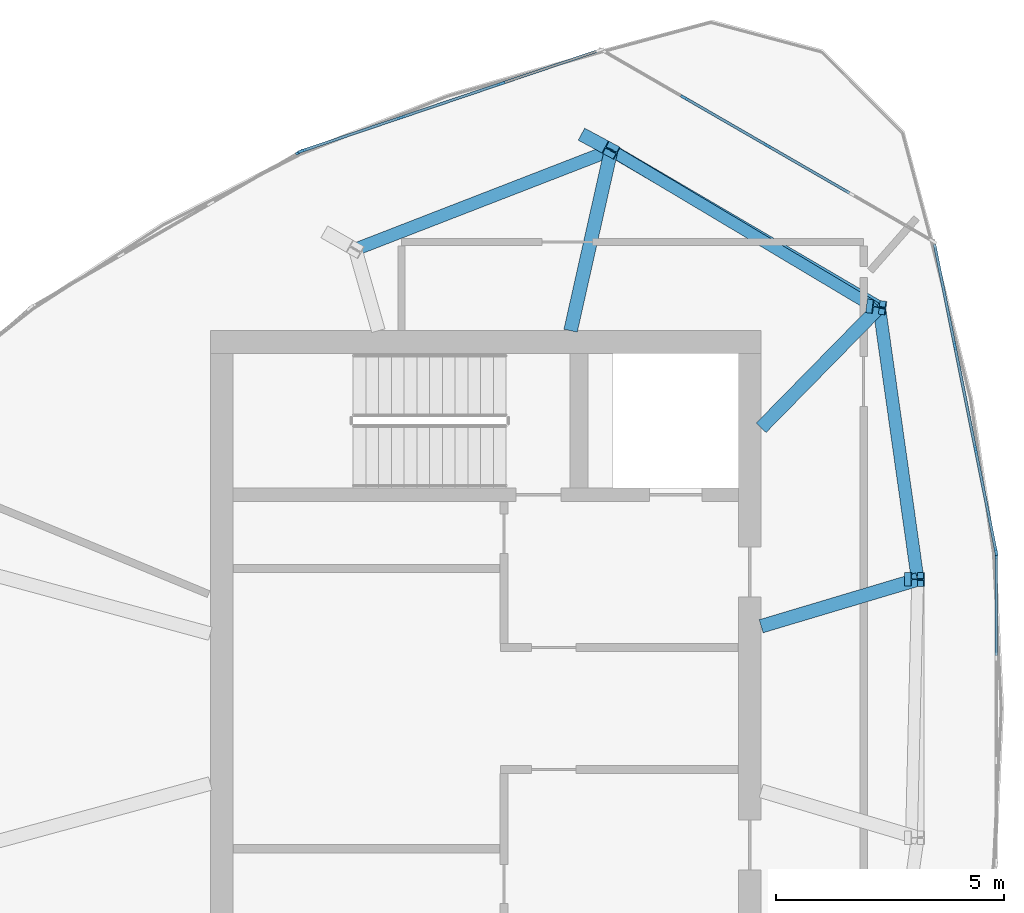
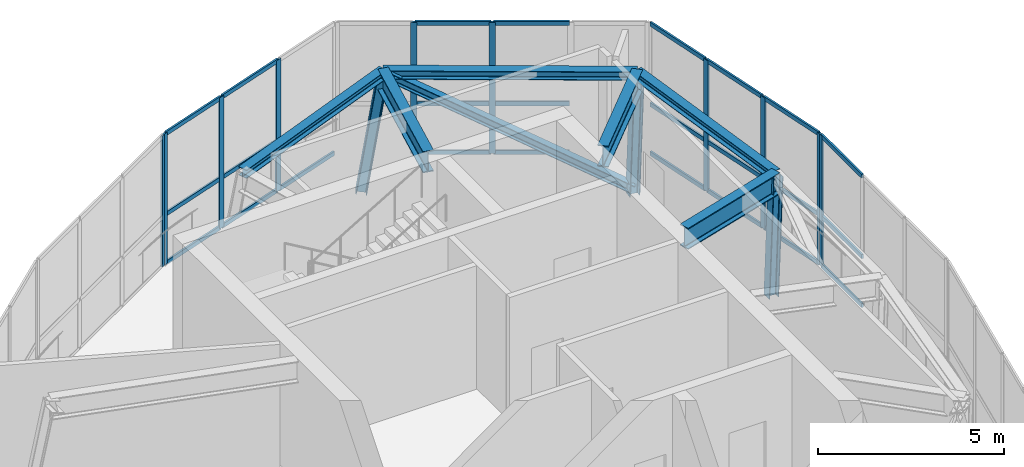
# One storey, part 4 of 10: 42 members, 3 beams, 5 elements without a shape of their own.
"""IFC4 building model written with IfcOpenShell, lengths in metres."""

from ifc_helpers import new_model, si_unit, direction, frame, origin, origin_2d, place, context, subcontext, project, spatial, rectangle, i_section, extrude, source, transform, mapped, material, layer, layer_set, material_profile, profile_set, type_object, element, aggregate, save


model = new_model("IFC4")

# Units and contexts
model_context = context("Model", 3, precision=1e-05, world=origin(), true_north=direction((0.0, 1.0)))
body_context = subcontext(model_context, "Body", "Model", "MODEL_VIEW")
ifc_project = project(units=[si_unit("LENGTHUNIT", "METRE"), si_unit("AREAUNIT", "SQUARE_METRE"), si_unit("VOLUMEUNIT", "CUBIC_METRE"), si_unit("PLANEANGLEUNIT", "RADIAN"), si_unit("MASSUNIT", "GRAM", prefix="KILO")], contexts=[model_context])

# Site, building, storey
site_placement = place(None, origin())
site = spatial("IfcSite", under=ifc_project, at=site_placement, CompositionType="ELEMENT")
building_placement = place(site_placement, origin())
building = spatial("IfcBuilding", under=site, at=building_placement, Name="Qafzar Sky-Pleat Residences", CompositionType="ELEMENT")
storey_placement = place(building_placement, frame((0.0, 0.0, 261.800048828125)))
storey = spatial("IfcBuildingStorey", under=building, at=storey_placement, Name="L78 Crown", CompositionType="ELEMENT", Elevation=261.800048828125)

# Members
ifc_material_1 = material(Name="Steel S460", Category="steel")
ifc_material_profile_1 = material_profile(ifc_material_1, i_section(OverallWidth=0.300048828125, OverallDepth=0.300048828125, WebThickness=0.010986328125, FlangeThickness=0.01904296875, FilletRadius=0.027099609375, at=origin_2d()), Name="HEB 300")
ifc_profile_set_1 = profile_set([ifc_material_profile_1], Name="Steel S460")
member_type_1 = type_object("IfcMemberType", Name="MEM-CROWN-RIB", PredefinedType="CHORD", material=ifc_profile_set_1)
shared_shape_1 = source(origin(), body_context, "Body", "SweptSolid", [
    extrude(i_section(OverallWidth=0.300048828125, OverallDepth=0.300048828125, WebThickness=0.010986328125, FlangeThickness=0.01904296875, FilletRadius=0.027099609375, at=origin_2d()), origin(), (0.0, 0.0, 1.0), 3.898193359375),
])
member_1_placement = place(storey_placement, frame((38.86279296875, 34.828857421875, 0.0), z_axis=(0.033443834759, -0.004133507667, 0.999432050732), x_axis=(0.122662172065, 0.992448483068, 0.0)))
element("IfcMember", 1, at=member_1_placement, inside=storey, type_object=member_type_1, Name="L78 Crown CROWN FRAME Inclined Rib 9", PredefinedType="CHORD", context=body_context, shape_type="MappedRepresentation", body=[
    mapped(shared_shape_1, transform((0.0, 0.0, 0.0), x_axis=(1.0, 0.0, 0.0), y_axis=(0.0, 1.0, 0.0), z_axis=(0.0, 0.0, 1.0), scale=1.0)),
])
shared_shape_2 = source(origin(), body_context, "Body", "SweptSolid", [
    extrude(i_section(OverallWidth=0.300048828125, OverallDepth=0.300048828125, WebThickness=0.010986328125, FlangeThickness=0.01904296875, FilletRadius=0.027099609375, at=origin_2d()), origin(), (0.0, 0.0, 1.0), 3.8984375),
])
member_2_placement = place(storey_placement, frame((39.70068359375, 28.837158203125, 0.0), z_axis=(0.03500797869, -0.0003131304, 0.999386983794), x_axis=(0.008944186046, 0.999959999968, 0.0)))
element("IfcMember", 2, at=member_2_placement, inside=storey, type_object=member_type_1, Name="L78 Crown CROWN FRAME Inclined Rib 8", PredefinedType="CHORD", context=body_context, shape_type="MappedRepresentation", body=[
    mapped(shared_shape_2, transform((0.0, 0.0, 0.0), x_axis=(1.0, 0.0, 0.0), y_axis=(0.0, 1.0, 0.0), z_axis=(0.0, 0.0, 1.0), scale=1.0)),
])
shared_shape_3 = source(origin(), body_context, "Body", "SweptSolid", [
    extrude(i_section(OverallWidth=0.300048828125, OverallDepth=0.300048828125, WebThickness=0.010986328125, FlangeThickness=0.01904296875, FilletRadius=0.027099609375, at=origin_2d()), origin(), (0.0, 0.0, 1.0), 3.940673828125),
])
member_3_placement = place(storey_placement, frame((32.5830078125, 38.5458984375, 0.0), z_axis=(0.132210472928, -0.07112353464, 0.988666694932), x_axis=(0.473755256735, 0.88065654867, 0.0)))
element("IfcMember", 3, at=member_3_placement, inside=storey, type_object=member_type_1, Name="L78 Crown CROWN FRAME Inclined Rib 10", PredefinedType="CHORD", context=body_context, shape_type="MappedRepresentation", body=[
    mapped(shared_shape_3, transform((0.0, 0.0, 0.0), x_axis=(1.0, 0.0, 0.0), y_axis=(0.0, 1.0, 0.0), z_axis=(0.0, 0.0, 1.0), scale=1.0)),
])
ifc_material_2 = material(Name="Steel S355", Category="steel")
ifc_material_profile_2 = material_profile(ifc_material_2, i_section(OverallWidth=0.280029296875, OverallDepth=0.280029296875, WebThickness=0.010498046875, FlangeThickness=0.01806640625, FilletRadius=0.02392578125, at=origin_2d()), Name="HEB 280")
ifc_profile_set_2 = profile_set([ifc_material_profile_2], Name="Steel S355")
member_type_2 = type_object("IfcMemberType", Name="MEM-CROWN-RING", PredefinedType="PURLIN", material=ifc_profile_set_2)
shared_shape_4 = source(origin(), body_context, "Body", "SweptSolid", [
    extrude(i_section(OverallWidth=0.280029296875, OverallDepth=0.280029296875, WebThickness=0.010498046875, FlangeThickness=0.01806640625, FilletRadius=0.02392578125, at=origin_2d()), origin(), (0.0, 0.0, 1.0), 6.027587890625),
])
member_4_placement = place(storey_placement, frame((33.10400390625, 38.265625, 3.906005859375), z_axis=(-0.932292469573, -0.361705337502, 0.0), x_axis=(0.361705337502, -0.932292469573, 0.0)))
element("IfcMember", 4, at=member_4_placement, inside=storey, type_object=member_type_2, Name="L78 Crown CROWN FRAME Ring Beam 10", PredefinedType="PURLIN", context=body_context, shape_type="MappedRepresentation", body=[
    mapped(shared_shape_4, transform((0.0, 0.0, 0.0), x_axis=(1.0, 0.0, 0.0), y_axis=(0.0, 1.0, 0.0), z_axis=(0.0, 0.0, 1.0), scale=1.0)),
])
shared_shape_5 = source(origin(), body_context, "Body", "SweptSolid", [
    extrude(i_section(OverallWidth=0.280029296875, OverallDepth=0.280029296875, WebThickness=0.010498046875, FlangeThickness=0.01806640625, FilletRadius=0.02392578125, at=origin_2d()), origin(), (0.0, 0.0, 1.0), 6.82666015625),
])
member_5_placement = place(storey_placement, frame((38.9931640625, 34.812744140625, 3.906005859375), z_axis=(-0.86265869224, 0.505786497154, 0.0), x_axis=(-0.505786497154, -0.86265869224, 0.0)))
element("IfcMember", 5, at=member_5_placement, inside=storey, type_object=member_type_2, Name="L78 Crown CROWN FRAME Ring Beam 9", PredefinedType="PURLIN", context=body_context, shape_type="MappedRepresentation", body=[
    mapped(shared_shape_5, transform((0.0, 0.0, 0.0), x_axis=(1.0, 0.0, 0.0), y_axis=(0.0, 1.0, 0.0), z_axis=(0.0, 0.0, 1.0), scale=1.0)),
])
shared_shape_6 = source(origin(), body_context, "Body", "SweptSolid", [
    extrude(i_section(OverallWidth=0.280029296875, OverallDepth=0.280029296875, WebThickness=0.010498046875, FlangeThickness=0.01806640625, FilletRadius=0.02392578125, at=origin_2d()), origin(), (0.0, 0.0, 1.0), 6.0361328125),
])
member_6_placement = place(storey_placement, frame((39.837158203125, 28.8359375, 3.906005859375), z_axis=(-0.139824335469, 0.990176325313, 0.0), x_axis=(-0.990176325313, -0.139824335469, 0.0)))
element("IfcMember", 6, at=member_6_placement, inside=storey, type_object=member_type_2, Name="L78 Crown CROWN FRAME Ring Beam 8", PredefinedType="PURLIN", context=body_context, shape_type="MappedRepresentation", body=[
    mapped(shared_shape_6, transform((0.0, 0.0, 0.0), x_axis=(1.0, 0.0, 0.0), y_axis=(0.0, 1.0, 0.0), z_axis=(0.0, 0.0, 1.0), scale=1.0)),
])
ifc_material_profile_3 = material_profile(ifc_material_2, i_section(OverallWidth=0.260009765625, OverallDepth=0.260009765625, WebThickness=0.010009765625, FlangeThickness=0.017578125, FilletRadius=0.02392578125, at=origin_2d()), Name="HEB 260")
ifc_profile_set_3 = profile_set([ifc_material_profile_3], Name="Steel S355")
member_type_3 = type_object("IfcMemberType", Name="MEM-CROWN-DIAG", PredefinedType="BRACE", material=ifc_profile_set_3)
shared_shape_7 = source(origin(), body_context, "Body", "SweptSolid", [
    extrude(i_section(OverallWidth=0.260009765625, OverallDepth=0.260009765625, WebThickness=0.010009765625, FlangeThickness=0.017578125, FilletRadius=0.02392578125, at=origin_2d()), origin(), (0.0, 0.0, 1.0), 7.6669921875),
])
member_7_placement = place(storey_placement, frame((38.86279296875, 34.828857421875, 0.199951171875), z_axis=(-0.751105635795, 0.448249704727, 0.484677754894), x_axis=(-0.512465302927, -0.858707932475, 0.0)))
element("IfcMember", 7, at=member_7_placement, inside=storey, type_object=member_type_3, Name="L78 Crown CROWN FRAME Wind Brace 9", PredefinedType="BRACE", context=body_context, shape_type="MappedRepresentation", body=[
    mapped(shared_shape_7, transform((0.0, 0.0, 0.0), x_axis=(1.0, 0.0, 0.0), y_axis=(0.0, 1.0, 0.0), z_axis=(0.0, 0.0, 1.0), scale=1.0)),
])

# Beams
ifc_material_profile_4 = material_profile(ifc_material_1, i_section(OverallWidth=0.300048828125, OverallDepth=0.699951171875, WebThickness=0.01708984375, FlangeThickness=0.031982421875, FilletRadius=0.027099609375, at=origin_2d()), Name="HEB 700")
ifc_profile_set_4 = profile_set([ifc_material_profile_4], Name="Steel S460")
beam_type = type_object("IfcBeamType", Name="BM-CHORD-HEB700", PredefinedType="BEAM", material=ifc_profile_set_4)
shared_shape_8 = source(origin(), body_context, "Body", "SweptSolid", [
    extrude(i_section(OverallWidth=0.300048828125, OverallDepth=0.699951171875, WebThickness=0.01708984375, FlangeThickness=0.031982421875, FilletRadius=0.027099609375, at=origin_2d()), origin(), (0.0, 0.0, 1.0), 4.064208984375),
])
beam_1_placement = place(storey_placement, frame((33.10400390625, 38.265625, 3.697998046875), z_axis=(-0.219073354902, -0.975708391463, 0.0), x_axis=(0.975708391463, -0.219073354902, 0.0)))
element("IfcBeam", 8, at=beam_1_placement, inside=storey, type_object=beam_type, Name="L79 Crown Crown Rib Base Transfer Beam 10", PredefinedType="BEAM", context=body_context, shape_type="MappedRepresentation", body=[
    mapped(shared_shape_8, transform((0.0, 0.0, 0.0), x_axis=(1.0, 0.0, 0.0), y_axis=(0.0, 1.0, 0.0), z_axis=(0.0, 0.0, 1.0), scale=1.0)),
])
shared_shape_9 = source(origin(), body_context, "Body", "SweptSolid", [
    extrude(i_section(OverallWidth=0.300048828125, OverallDepth=0.699951171875, WebThickness=0.01708984375, FlangeThickness=0.031982421875, FilletRadius=0.027099609375, at=origin_2d()), origin(), (0.0, 0.0, 1.0), 3.70361328125),
])
beam_2_placement = place(storey_placement, frame((38.9931640625, 34.812744140625, 3.697998046875), z_axis=(-0.700217713174, -0.713929376169, 0.0), x_axis=(0.713929376169, -0.700217713174, 0.0)))
element("IfcBeam", 9, at=beam_2_placement, inside=storey, type_object=beam_type, Name="L79 Crown Crown Rib Base Transfer Beam 9", PredefinedType="BEAM", context=body_context, shape_type="MappedRepresentation", body=[
    mapped(shared_shape_9, transform((0.0, 0.0, 0.0), x_axis=(1.0, 0.0, 0.0), y_axis=(0.0, 1.0, 0.0), z_axis=(0.0, 0.0, 1.0), scale=1.0)),
])
shared_shape_10 = source(origin(), body_context, "Body", "SweptSolid", [
    extrude(i_section(OverallWidth=0.300048828125, OverallDepth=0.699951171875, WebThickness=0.01708984375, FlangeThickness=0.031982421875, FilletRadius=0.027099609375, at=origin_2d()), origin(), (0.0, 0.0, 1.0), 3.58740234375),
])
beam_3_placement = place(storey_placement, frame((39.837158203125, 28.8359375, 3.697998046875), z_axis=(-0.958119848048, -0.286367520462, 0.0), x_axis=(0.286367520462, -0.958119848048, 0.0)))
element("IfcBeam", 10, at=beam_3_placement, inside=storey, type_object=beam_type, Name="L79 Crown Crown Rib Base Transfer Beam 8", PredefinedType="BEAM", context=body_context, shape_type="MappedRepresentation", body=[
    mapped(shared_shape_10, transform((0.0, 0.0, 0.0), x_axis=(1.0, 0.0, 0.0), y_axis=(0.0, 1.0, 0.0), z_axis=(0.0, 0.0, 1.0), scale=1.0)),
])

# Curtain wall, member
ifc_material_3 = material(Name="Anodised bronze aluminium framing", Category="aluminium")
ifc_layer = layer(ifc_material_3, 0.179931640625)
ifc_layer_set = layer_set([ifc_layer], Name="Anodised bronze aluminium framing")
curtain_wall_type = type_object("IfcCurtainWallType", Name="CW-SYS-06", PredefinedType="NOTDEFINED", material=ifc_layer_set)
curtain_wall_1_placement = place(storey_placement, origin())
curtain_wall_1 = element("IfcCurtainWall", 11, at=curtain_wall_1_placement, inside=storey, type_object=curtain_wall_type, Name="L78 Crown CW-06 Curtain Wall CW-CROWN-03-07", PredefinedType="NOTDEFINED")
ifc_material_4 = material(Name="Anodised bronze aluminium", Category="aluminium")
ifc_material_profile_5 = material_profile(ifc_material_4, rectangle(XDim=0.06005859375, YDim=0.179931640625, at=origin_2d()), Name="ALU MULLION 60x180")
ifc_profile_set_5 = profile_set([ifc_material_profile_5], Name="Anodised bronze aluminium")
member_type_4 = type_object("IfcMemberType", Name="CWM-06", PredefinedType="MULLION", material=ifc_profile_set_5)
shared_shape_11 = source(origin(), body_context, "Body", "SweptSolid", [
    extrude(rectangle(XDim=0.06005859375, YDim=0.179931640625, at=origin_2d()), origin(), (0.0, 0.0, 1.0), 4.300048828125),
])
member_8_placement = place(storey_placement, frame((41.5625, 29.387451171875, 0.0), z_axis=(0.0, 0.0, 1.0), x_axis=(-1.0, 0.0, 0.0)))
member_8 = element("IfcMember", 12, at=member_8_placement, type_object=member_type_4, Name="CW-06 mullion 4", PredefinedType="MULLION", context=body_context, shape_type="MappedRepresentation", body=[
    mapped(shared_shape_11, transform((0.0, 0.0, 0.0), x_axis=(1.0, 0.0, 0.0), y_axis=(0.0, 1.0, 0.0), z_axis=(0.0, 0.0, 1.0), scale=1.0)),
])

# Curtain wall, members
curtain_wall_2_placement = place(storey_placement, origin())
curtain_wall_2 = element("IfcCurtainWall", 13, at=curtain_wall_2_placement, inside=storey, type_object=curtain_wall_type, Name="L78 Crown CW-06 Curtain Wall CW-CROWN-03-08", PredefinedType="NOTDEFINED")
member_9_placement = place(storey_placement, frame((41.556396484375, 29.447021484375, 0.0), z_axis=(0.0, 0.0, 1.0), x_axis=(-0.980581227468, -0.196113376234, 0.0)))
member_9 = element("IfcMember", 14, at=member_9_placement, type_object=member_type_4, Name="CW-06 mullion 1", PredefinedType="MULLION", context=body_context, shape_type="MappedRepresentation", body=[
    mapped(shared_shape_11, transform((0.0, 0.0, 0.0), x_axis=(1.0, 0.0, 0.0), y_axis=(0.0, 1.0, 0.0), z_axis=(0.0, 0.0, 1.0), scale=1.0)),
])
member_10_placement = place(storey_placement, frame((41.106689453125, 31.69580078125, 0.0), z_axis=(0.0, 0.0, 1.0), x_axis=(-0.980581227468, -0.196113376234, 0.0)))
member_10 = element("IfcMember", 15, at=member_10_placement, type_object=member_type_4, Name="CW-06 mullion 2", PredefinedType="MULLION", context=body_context, shape_type="MappedRepresentation", body=[
    mapped(shared_shape_11, transform((0.0, 0.0, 0.0), x_axis=(1.0, 0.0, 0.0), y_axis=(0.0, 1.0, 0.0), z_axis=(0.0, 0.0, 1.0), scale=1.0)),
])
member_11_placement = place(storey_placement, frame((40.651123046875, 33.97412109375, 0.0), z_axis=(0.0, 0.0, 1.0), x_axis=(-0.980581227468, -0.196113376234, 0.0)))
member_11 = element("IfcMember", 16, at=member_11_placement, type_object=member_type_4, Name="CW-06 mullion 3", PredefinedType="MULLION", context=body_context, shape_type="MappedRepresentation", body=[
    mapped(shared_shape_11, transform((0.0, 0.0, 0.0), x_axis=(1.0, 0.0, 0.0), y_axis=(0.0, 1.0, 0.0), z_axis=(0.0, 0.0, 1.0), scale=1.0)),
])

curtain_wall_3_placement = place(storey_placement, origin())
curtain_wall_3 = element("IfcCurtainWall", 17, at=curtain_wall_3_placement, inside=storey, type_object=curtain_wall_type, Name="L78 Crown CW-06 Curtain Wall CW-CROWN-03-09", PredefinedType="NOTDEFINED")
member_12_placement = place(storey_placement, frame((36.54150390625, 38.3623046875, 0.0), z_axis=(0.0, 0.0, 1.0), x_axis=(-0.500002153749, -0.866024160313, 0.0)))
member_12 = element("IfcMember", 18, at=member_12_placement, type_object=member_type_4, Name="CW-06 mullion 3", PredefinedType="MULLION", context=body_context, shape_type="MappedRepresentation", body=[
    mapped(shared_shape_11, transform((0.0, 0.0, 0.0), x_axis=(1.0, 0.0, 0.0), y_axis=(0.0, 1.0, 0.0), z_axis=(0.0, 0.0, 1.0), scale=1.0)),
])
member_13_placement = place(storey_placement, frame((34.71435546875, 39.4169921875, 0.0), z_axis=(0.0, 0.0, 1.0), x_axis=(-0.500002153749, -0.866024160313, 0.0)))
member_13 = element("IfcMember", 19, at=member_13_placement, type_object=member_type_4, Name="CW-06 mullion 4", PredefinedType="MULLION", context=body_context, shape_type="MappedRepresentation", body=[
    mapped(shared_shape_11, transform((0.0, 0.0, 0.0), x_axis=(1.0, 0.0, 0.0), y_axis=(0.0, 1.0, 0.0), z_axis=(0.0, 0.0, 1.0), scale=1.0)),
])

curtain_wall_4_placement = place(storey_placement, origin())
curtain_wall_4 = element("IfcCurtainWall", 20, at=curtain_wall_4_placement, inside=storey, type_object=curtain_wall_type, Name="L78 Crown CW-06 Curtain Wall CW-CROWN-03-10", PredefinedType="NOTDEFINED")
member_14_placement = place(storey_placement, frame((30.6865234375, 39.727294921875, 0.0), z_axis=(0.0, 0.0, 1.0), x_axis=(0.320451017741, -0.947265087095, 0.0)))
member_14 = element("IfcMember", 21, at=member_14_placement, type_object=member_type_4, Name="CW-06 mullion 2", PredefinedType="MULLION", context=body_context, shape_type="MappedRepresentation", body=[
    mapped(shared_shape_11, transform((0.0, 0.0, 0.0), x_axis=(1.0, 0.0, 0.0), y_axis=(0.0, 1.0, 0.0), z_axis=(0.0, 0.0, 1.0), scale=1.0)),
])
member_15_placement = place(storey_placement, frame((28.4853515625, 38.982666015625, 0.0), z_axis=(0.0, 0.0, 1.0), x_axis=(0.320451017741, -0.947265087095, 0.0)))
member_15 = element("IfcMember", 22, at=member_15_placement, type_object=member_type_4, Name="CW-06 mullion 3", PredefinedType="MULLION", context=body_context, shape_type="MappedRepresentation", body=[
    mapped(shared_shape_11, transform((0.0, 0.0, 0.0), x_axis=(1.0, 0.0, 0.0), y_axis=(0.0, 1.0, 0.0), z_axis=(0.0, 0.0, 1.0), scale=1.0)),
])
member_16_placement = place(storey_placement, frame((26.31298828125, 38.247802734375, 0.0), z_axis=(0.0, 0.0, 1.0), x_axis=(0.320451017741, -0.947265087095, 0.0)))
member_16 = element("IfcMember", 23, at=member_16_placement, type_object=member_type_4, Name="CW-06 mullion 4", PredefinedType="MULLION", context=body_context, shape_type="MappedRepresentation", body=[
    mapped(shared_shape_11, transform((0.0, 0.0, 0.0), x_axis=(1.0, 0.0, 0.0), y_axis=(0.0, 1.0, 0.0), z_axis=(0.0, 0.0, 1.0), scale=1.0)),
])

# Curtain wall, member
curtain_wall_5_placement = place(storey_placement, origin())
curtain_wall_5 = element("IfcCurtainWall", 24, at=curtain_wall_5_placement, inside=storey, type_object=curtain_wall_type, Name="L78 Crown CW-06 Curtain Wall CW-CROWN-03-11", PredefinedType="NOTDEFINED")
member_17_placement = place(storey_placement, frame((26.258544921875, 38.22314453125, 0.0), z_axis=(0.0, 0.0, 1.0), x_axis=(0.499992628097, -0.866029659913, 0.0)))
member_17 = element("IfcMember", 25, at=member_17_placement, type_object=member_type_4, Name="CW-06 mullion 1", PredefinedType="MULLION", context=body_context, shape_type="MappedRepresentation", body=[
    mapped(shared_shape_11, transform((0.0, 0.0, 0.0), x_axis=(1.0, 0.0, 0.0), y_axis=(0.0, 1.0, 0.0), z_axis=(0.0, 0.0, 1.0), scale=1.0)),
])
aggregate(curtain_wall_5, [member_17])

# Member
ifc_material_profile_6 = material_profile(ifc_material_4, rectangle(XDim=0.06005859375, YDim=0.135009765625, at=origin_2d()), Name="ALU TRANSOM 60x135")
ifc_profile_set_6 = profile_set([ifc_material_profile_6], Name="Anodised bronze aluminium")
member_type_5 = type_object("IfcMemberType", Name="CWT-06", PredefinedType="USERDEFINED", material=ifc_profile_set_6)
shared_shape_12 = source(origin(), body_context, "Body", "SweptSolid", [
    extrude(rectangle(XDim=0.06005859375, YDim=0.135009765625, at=origin_2d()), origin(), (0.0, 0.0, 1.0), 2.049560546875),
])
member_18_placement = place(storey_placement, frame((38.342529296875, 37.322509765625, 0.030029296875), z_axis=(-0.866072531883, 0.499918362854, 0.0), x_axis=(-0.499918362854, -0.866072531883, 0.0)))
member_18 = element("IfcMember", 26, at=member_18_placement, type_object=member_type_5, Name="CW-06 transom 2.1", ObjectType="TRANSOM", PredefinedType="USERDEFINED", context=body_context, shape_type="MappedRepresentation", body=[
    mapped(shared_shape_12, transform((0.0, 0.0, 0.0), x_axis=(1.0, 0.0, 0.0), y_axis=(0.0, 1.0, 0.0), z_axis=(0.0, 0.0, 1.0), scale=1.0)),
])

member_19_placement = place(storey_placement, frame((38.342529296875, 37.322509765625, 1.634033203125), z_axis=(-0.866072531883, 0.499918362854, 0.0), x_axis=(-0.499918362854, -0.866072531883, 0.0)))
member_19 = element("IfcMember", 27, at=member_19_placement, type_object=member_type_5, Name="CW-06 transom 2.2", ObjectType="TRANSOM", PredefinedType="USERDEFINED", context=body_context, shape_type="MappedRepresentation", body=[
    mapped(shared_shape_12, transform((0.0, 0.0, 0.0), x_axis=(1.0, 0.0, 0.0), y_axis=(0.0, 1.0, 0.0), z_axis=(0.0, 0.0, 1.0), scale=1.0)),
])

member_20_placement = place(storey_placement, frame((38.342529296875, 37.322509765625, 4.27001953125), z_axis=(-0.866072531883, 0.499918362854, 0.0), x_axis=(-0.499918362854, -0.866072531883, 0.0)))
member_20 = element("IfcMember", 28, at=member_20_placement, type_object=member_type_5, Name="CW-06 transom 2.3", ObjectType="TRANSOM", PredefinedType="USERDEFINED", context=body_context, shape_type="MappedRepresentation", body=[
    mapped(shared_shape_12, transform((0.0, 0.0, 0.0), x_axis=(1.0, 0.0, 0.0), y_axis=(0.0, 1.0, 0.0), z_axis=(0.0, 0.0, 1.0), scale=1.0)),
])

member_21_placement = place(storey_placement, frame((36.515380859375, 38.377197265625, 0.030029296875), z_axis=(-0.865991176338, 0.500059278991, 0.0), x_axis=(-0.500059278991, -0.865991176338, 0.0)))
member_21 = element("IfcMember", 29, at=member_21_placement, type_object=member_type_5, Name="CW-06 transom 3.1", ObjectType="TRANSOM", PredefinedType="USERDEFINED", context=body_context, shape_type="MappedRepresentation", body=[
    mapped(shared_shape_12, transform((0.0, 0.0, 0.0), x_axis=(1.0, 0.0, 0.0), y_axis=(0.0, 1.0, 0.0), z_axis=(0.0, 0.0, 1.0), scale=1.0)),
])

member_22_placement = place(storey_placement, frame((36.515380859375, 38.377197265625, 1.634033203125), z_axis=(-0.865991176338, 0.500059278991, 0.0), x_axis=(-0.500059278991, -0.865991176338, 0.0)))
member_22 = element("IfcMember", 30, at=member_22_placement, type_object=member_type_5, Name="CW-06 transom 3.2", ObjectType="TRANSOM", PredefinedType="USERDEFINED", context=body_context, shape_type="MappedRepresentation", body=[
    mapped(shared_shape_12, transform((0.0, 0.0, 0.0), x_axis=(1.0, 0.0, 0.0), y_axis=(0.0, 1.0, 0.0), z_axis=(0.0, 0.0, 1.0), scale=1.0)),
])

member_23_placement = place(storey_placement, frame((36.515380859375, 38.377197265625, 4.27001953125), z_axis=(-0.865991176338, 0.500059278991, 0.0), x_axis=(-0.500059278991, -0.865991176338, 0.0)))
member_23 = element("IfcMember", 31, at=member_23_placement, type_object=member_type_5, Name="CW-06 transom 3.3", ObjectType="TRANSOM", PredefinedType="USERDEFINED", context=body_context, shape_type="MappedRepresentation", body=[
    mapped(shared_shape_12, transform((0.0, 0.0, 0.0), x_axis=(1.0, 0.0, 0.0), y_axis=(0.0, 1.0, 0.0), z_axis=(0.0, 0.0, 1.0), scale=1.0)),
])

aggregate(curtain_wall_3, [member_12, member_13, member_18, member_19, member_20, member_21, member_22, member_23])

shared_shape_13 = source(origin(), body_context, "Body", "SweptSolid", [
    extrude(rectangle(XDim=0.06005859375, YDim=0.135009765625, at=origin_2d()), origin(), (0.0, 0.0, 1.0), 2.233642578125),
])
member_24_placement = place(storey_placement, frame((41.550537109375, 29.476318359375, 0.030029296875), z_axis=(-0.196095114692, 0.980584879546, 0.0), x_axis=(-0.980584879546, -0.196095114692, 0.0)))
member_24 = element("IfcMember", 32, at=member_24_placement, type_object=member_type_5, Name="CW-06 transom 1.1", ObjectType="TRANSOM", PredefinedType="USERDEFINED", context=body_context, shape_type="MappedRepresentation", body=[
    mapped(shared_shape_13, transform((0.0, 0.0, 0.0), x_axis=(1.0, 0.0, 0.0), y_axis=(0.0, 1.0, 0.0), z_axis=(0.0, 0.0, 1.0), scale=1.0)),
])

member_25_placement = place(storey_placement, frame((41.550537109375, 29.476318359375, 1.634033203125), z_axis=(-0.196095114692, 0.980584879546, 0.0), x_axis=(-0.980584879546, -0.196095114692, 0.0)))
member_25 = element("IfcMember", 33, at=member_25_placement, type_object=member_type_5, Name="CW-06 transom 1.2", ObjectType="TRANSOM", PredefinedType="USERDEFINED", context=body_context, shape_type="MappedRepresentation", body=[
    mapped(shared_shape_13, transform((0.0, 0.0, 0.0), x_axis=(1.0, 0.0, 0.0), y_axis=(0.0, 1.0, 0.0), z_axis=(0.0, 0.0, 1.0), scale=1.0)),
])

member_26_placement = place(storey_placement, frame((41.550537109375, 29.476318359375, 4.27001953125), z_axis=(-0.196095114692, 0.980584879546, 0.0), x_axis=(-0.980584879546, -0.196095114692, 0.0)))
member_26 = element("IfcMember", 34, at=member_26_placement, type_object=member_type_5, Name="CW-06 transom 1.3", ObjectType="TRANSOM", PredefinedType="USERDEFINED", context=body_context, shape_type="MappedRepresentation", body=[
    mapped(shared_shape_13, transform((0.0, 0.0, 0.0), x_axis=(1.0, 0.0, 0.0), y_axis=(0.0, 1.0, 0.0), z_axis=(0.0, 0.0, 1.0), scale=1.0)),
])

member_27_placement = place(storey_placement, frame((40.645263671875, 34.003662109375, 0.030029296875), z_axis=(-0.196095114692, 0.980584879546, 0.0), x_axis=(-0.980584879546, -0.196095114692, 0.0)))
member_27 = element("IfcMember", 35, at=member_27_placement, type_object=member_type_5, Name="CW-06 transom 3.1", ObjectType="TRANSOM", PredefinedType="USERDEFINED", context=body_context, shape_type="MappedRepresentation", body=[
    mapped(shared_shape_13, transform((0.0, 0.0, 0.0), x_axis=(1.0, 0.0, 0.0), y_axis=(0.0, 1.0, 0.0), z_axis=(0.0, 0.0, 1.0), scale=1.0)),
])

member_28_placement = place(storey_placement, frame((40.645263671875, 34.003662109375, 1.634033203125), z_axis=(-0.196095114692, 0.980584879546, 0.0), x_axis=(-0.980584879546, -0.196095114692, 0.0)))
member_28 = element("IfcMember", 36, at=member_28_placement, type_object=member_type_5, Name="CW-06 transom 3.2", ObjectType="TRANSOM", PredefinedType="USERDEFINED", context=body_context, shape_type="MappedRepresentation", body=[
    mapped(shared_shape_13, transform((0.0, 0.0, 0.0), x_axis=(1.0, 0.0, 0.0), y_axis=(0.0, 1.0, 0.0), z_axis=(0.0, 0.0, 1.0), scale=1.0)),
])

member_29_placement = place(storey_placement, frame((40.645263671875, 34.003662109375, 4.27001953125), z_axis=(-0.196095114692, 0.980584879546, 0.0), x_axis=(-0.980584879546, -0.196095114692, 0.0)))
member_29 = element("IfcMember", 37, at=member_29_placement, type_object=member_type_5, Name="CW-06 transom 3.3", ObjectType="TRANSOM", PredefinedType="USERDEFINED", context=body_context, shape_type="MappedRepresentation", body=[
    mapped(shared_shape_13, transform((0.0, 0.0, 0.0), x_axis=(1.0, 0.0, 0.0), y_axis=(0.0, 1.0, 0.0), z_axis=(0.0, 0.0, 1.0), scale=1.0)),
])

member_30_placement = place(storey_placement, frame((28.45703125, 38.97314453125, 0.030029296875), z_axis=(-0.947252731653, -0.320487538565, 0.0), x_axis=(0.320487538565, -0.947252731653, 0.0)))
member_30 = element("IfcMember", 38, at=member_30_placement, type_object=member_type_5, Name="CW-06 transom 3.1", ObjectType="TRANSOM", PredefinedType="USERDEFINED", context=body_context, shape_type="MappedRepresentation", body=[
    mapped(shared_shape_13, transform((0.0, 0.0, 0.0), x_axis=(1.0, 0.0, 0.0), y_axis=(0.0, 1.0, 0.0), z_axis=(0.0, 0.0, 1.0), scale=1.0)),
])

member_31_placement = place(storey_placement, frame((28.45703125, 38.97314453125, 1.634033203125), z_axis=(-0.947252731653, -0.320487538565, 0.0), x_axis=(0.320487538565, -0.947252731653, 0.0)))
member_31 = element("IfcMember", 39, at=member_31_placement, type_object=member_type_5, Name="CW-06 transom 3.2", ObjectType="TRANSOM", PredefinedType="USERDEFINED", context=body_context, shape_type="MappedRepresentation", body=[
    mapped(shared_shape_13, transform((0.0, 0.0, 0.0), x_axis=(1.0, 0.0, 0.0), y_axis=(0.0, 1.0, 0.0), z_axis=(0.0, 0.0, 1.0), scale=1.0)),
])

member_32_placement = place(storey_placement, frame((28.45703125, 38.97314453125, 4.27001953125), z_axis=(-0.947252731653, -0.320487538565, 0.0), x_axis=(0.320487538565, -0.947252731653, 0.0)))
member_32 = element("IfcMember", 40, at=member_32_placement, type_object=member_type_5, Name="CW-06 transom 3.3", ObjectType="TRANSOM", PredefinedType="USERDEFINED", context=body_context, shape_type="MappedRepresentation", body=[
    mapped(shared_shape_13, transform((0.0, 0.0, 0.0), x_axis=(1.0, 0.0, 0.0), y_axis=(0.0, 1.0, 0.0), z_axis=(0.0, 0.0, 1.0), scale=1.0)),
])

shared_shape_14 = source(origin(), body_context, "Body", "SweptSolid", [
    extrude(rectangle(XDim=0.06005859375, YDim=0.135009765625, at=origin_2d()), origin(), (0.0, 0.0, 1.0), 2.263427734375),
])
member_33_placement = place(storey_placement, frame((41.100830078125, 31.725341796875, 0.030029296875), z_axis=(-0.196095392161, 0.980584824058, 0.0), x_axis=(-0.980584824058, -0.196095392161, 0.0)))
member_33 = element("IfcMember", 41, at=member_33_placement, type_object=member_type_5, Name="CW-06 transom 2.1", ObjectType="TRANSOM", PredefinedType="USERDEFINED", context=body_context, shape_type="MappedRepresentation", body=[
    mapped(shared_shape_14, transform((0.0, 0.0, 0.0), x_axis=(1.0, 0.0, 0.0), y_axis=(0.0, 1.0, 0.0), z_axis=(0.0, 0.0, 1.0), scale=1.0)),
])

member_34_placement = place(storey_placement, frame((41.100830078125, 31.725341796875, 1.634033203125), z_axis=(-0.196095392161, 0.980584824058, 0.0), x_axis=(-0.980584824058, -0.196095392161, 0.0)))
member_34 = element("IfcMember", 42, at=member_34_placement, type_object=member_type_5, Name="CW-06 transom 2.2", ObjectType="TRANSOM", PredefinedType="USERDEFINED", context=body_context, shape_type="MappedRepresentation", body=[
    mapped(shared_shape_14, transform((0.0, 0.0, 0.0), x_axis=(1.0, 0.0, 0.0), y_axis=(0.0, 1.0, 0.0), z_axis=(0.0, 0.0, 1.0), scale=1.0)),
])

member_35_placement = place(storey_placement, frame((41.100830078125, 31.725341796875, 4.27001953125), z_axis=(-0.196095392161, 0.980584824058, 0.0), x_axis=(-0.980584824058, -0.196095392161, 0.0)))
member_35 = element("IfcMember", 43, at=member_35_placement, type_object=member_type_5, Name="CW-06 transom 2.3", ObjectType="TRANSOM", PredefinedType="USERDEFINED", context=body_context, shape_type="MappedRepresentation", body=[
    mapped(shared_shape_14, transform((0.0, 0.0, 0.0), x_axis=(1.0, 0.0, 0.0), y_axis=(0.0, 1.0, 0.0), z_axis=(0.0, 0.0, 1.0), scale=1.0)),
])

aggregate(curtain_wall_2, [member_9, member_10, member_11, member_24, member_25, member_26, member_33, member_34, member_35, member_27, member_28, member_29])

member_36_placement = place(storey_placement, frame((30.657958984375, 39.7177734375, 0.030029296875), z_axis=(-0.947260810065, -0.320463660522, 0.0), x_axis=(0.320463660522, -0.947260810065, 0.0)))
member_36 = element("IfcMember", 44, at=member_36_placement, type_object=member_type_5, Name="CW-06 transom 2.1", ObjectType="TRANSOM", PredefinedType="USERDEFINED", context=body_context, shape_type="MappedRepresentation", body=[
    mapped(shared_shape_14, transform((0.0, 0.0, 0.0), x_axis=(1.0, 0.0, 0.0), y_axis=(0.0, 1.0, 0.0), z_axis=(0.0, 0.0, 1.0), scale=1.0)),
])

member_37_placement = place(storey_placement, frame((30.657958984375, 39.7177734375, 1.634033203125), z_axis=(-0.947260810065, -0.320463660522, 0.0), x_axis=(0.320463660522, -0.947260810065, 0.0)))
member_37 = element("IfcMember", 45, at=member_37_placement, type_object=member_type_5, Name="CW-06 transom 2.2", ObjectType="TRANSOM", PredefinedType="USERDEFINED", context=body_context, shape_type="MappedRepresentation", body=[
    mapped(shared_shape_14, transform((0.0, 0.0, 0.0), x_axis=(1.0, 0.0, 0.0), y_axis=(0.0, 1.0, 0.0), z_axis=(0.0, 0.0, 1.0), scale=1.0)),
])

member_38_placement = place(storey_placement, frame((30.657958984375, 39.7177734375, 4.27001953125), z_axis=(-0.947260810065, -0.320463660522, 0.0), x_axis=(0.320463660522, -0.947260810065, 0.0)))
member_38 = element("IfcMember", 46, at=member_38_placement, type_object=member_type_5, Name="CW-06 transom 2.3", ObjectType="TRANSOM", PredefinedType="USERDEFINED", context=body_context, shape_type="MappedRepresentation", body=[
    mapped(shared_shape_14, transform((0.0, 0.0, 0.0), x_axis=(1.0, 0.0, 0.0), y_axis=(0.0, 1.0, 0.0), z_axis=(0.0, 0.0, 1.0), scale=1.0)),
])

shared_shape_15 = source(origin(), body_context, "Body", "SweptSolid", [
    extrude(rectangle(XDim=0.06005859375, YDim=0.135009765625, at=origin_2d()), origin(), (0.0, 0.0, 1.0), 2.2333984375),
])
member_39_placement = place(storey_placement, frame((32.83056640625, 40.45263671875, 0.030029296875), z_axis=(-0.947285911391, -0.32038945376, 0.0), x_axis=(0.32038945376, -0.947285911391, 0.0)))
member_39 = element("IfcMember", 47, at=member_39_placement, type_object=member_type_5, Name="CW-06 transom 1.1", ObjectType="TRANSOM", PredefinedType="USERDEFINED", context=body_context, shape_type="MappedRepresentation", body=[
    mapped(shared_shape_15, transform((0.0, 0.0, 0.0), x_axis=(1.0, 0.0, 0.0), y_axis=(0.0, 1.0, 0.0), z_axis=(0.0, 0.0, 1.0), scale=1.0)),
])

aggregate(curtain_wall_4, [member_14, member_15, member_16, member_39, member_36, member_37, member_38, member_30, member_31, member_32])

shared_shape_16 = source(origin(), body_context, "Body", "SweptSolid", [
    extrude(rectangle(XDim=0.06005859375, YDim=0.135009765625, at=origin_2d()), origin(), (0.0, 0.0, 1.0), 2.188232421875),
])
member_40_placement = place(storey_placement, frame((41.5625, 27.169189453125, 0.030029296875), z_axis=(0.0, 1.0, 0.0), x_axis=(-1.0, 0.0, 0.0)))
member_40 = element("IfcMember", 48, at=member_40_placement, type_object=member_type_5, Name="CW-06 transom 3.1", ObjectType="TRANSOM", PredefinedType="USERDEFINED", context=body_context, shape_type="MappedRepresentation", body=[
    mapped(shared_shape_16, transform((0.0, 0.0, 0.0), x_axis=(1.0, 0.0, 0.0), y_axis=(0.0, 1.0, 0.0), z_axis=(0.0, 0.0, 1.0), scale=1.0)),
])

member_41_placement = place(storey_placement, frame((41.5625, 27.169189453125, 1.634033203125), z_axis=(0.0, 1.0, 0.0), x_axis=(-1.0, 0.0, 0.0)))
member_41 = element("IfcMember", 49, at=member_41_placement, type_object=member_type_5, Name="CW-06 transom 3.2", ObjectType="TRANSOM", PredefinedType="USERDEFINED", context=body_context, shape_type="MappedRepresentation", body=[
    mapped(shared_shape_16, transform((0.0, 0.0, 0.0), x_axis=(1.0, 0.0, 0.0), y_axis=(0.0, 1.0, 0.0), z_axis=(0.0, 0.0, 1.0), scale=1.0)),
])

member_42_placement = place(storey_placement, frame((41.5625, 27.169189453125, 4.27001953125), z_axis=(0.0, 1.0, 0.0), x_axis=(-1.0, 0.0, 0.0)))
member_42 = element("IfcMember", 50, at=member_42_placement, type_object=member_type_5, Name="CW-06 transom 3.3", ObjectType="TRANSOM", PredefinedType="USERDEFINED", context=body_context, shape_type="MappedRepresentation", body=[
    mapped(shared_shape_16, transform((0.0, 0.0, 0.0), x_axis=(1.0, 0.0, 0.0), y_axis=(0.0, 1.0, 0.0), z_axis=(0.0, 0.0, 1.0), scale=1.0)),
])

aggregate(curtain_wall_1, [member_8, member_40, member_41, member_42])

save(model, "model.ifc")
